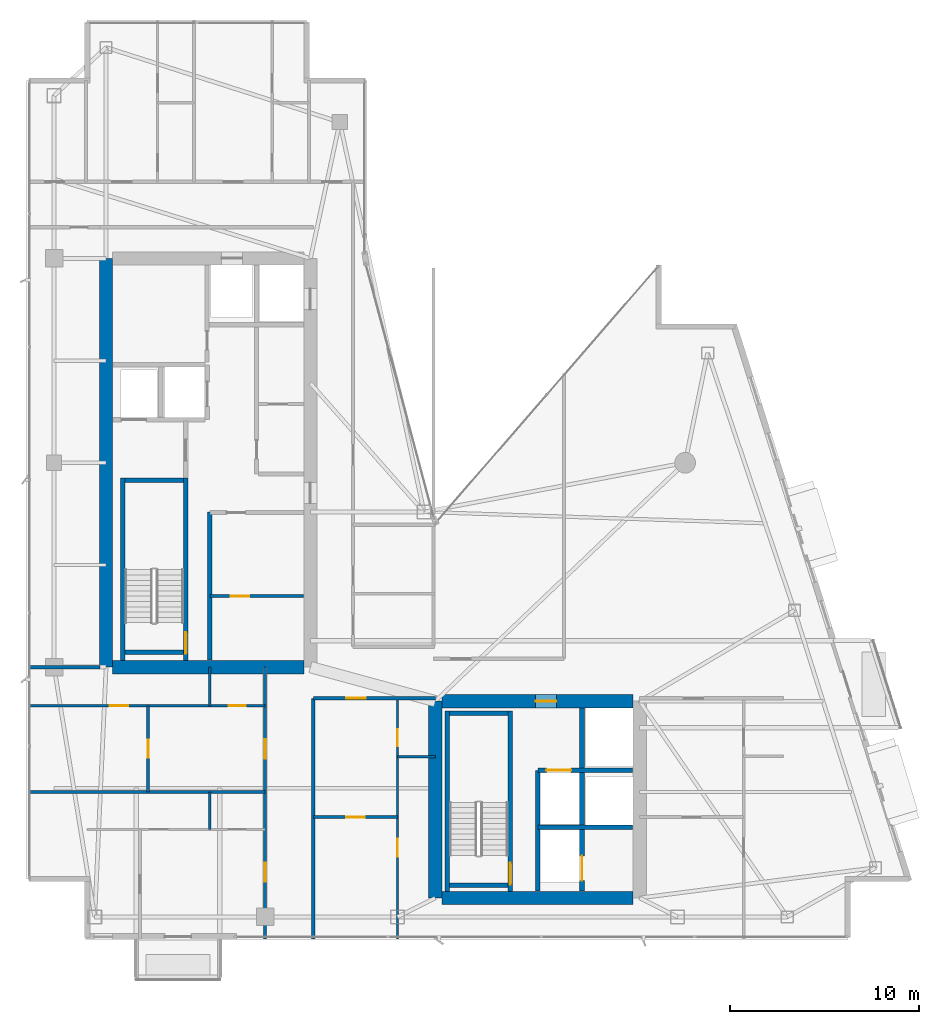
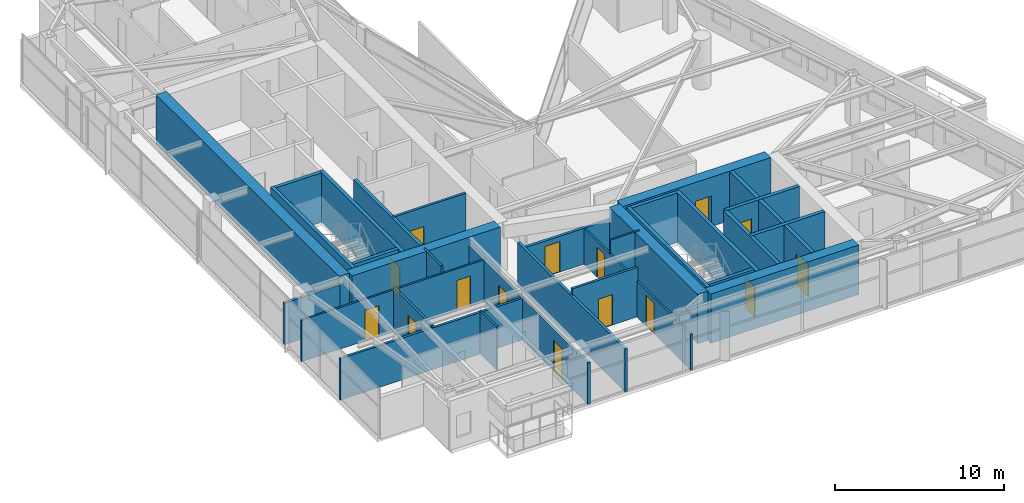
# One storey, part 24 of 29: 31 walls, 15 doors, 15 openings.
"""IFC4 building model written with IfcOpenShell, lengths in metres."""

from ifc_helpers import new_model, si_unit, direction, frame, frame_2d, origin, place, context, subcontext, project, spatial, rectangle, extrude, material, layer, layer_set, type_object, element, fill, save


model = new_model("IFC4")

# Units and contexts
model_context = context("Model", 3, precision=1e-05, world=origin(), true_north=direction((0.0, 1.0)))
body_context = subcontext(model_context, "Body", "Model", "MODEL_VIEW")
ifc_project = project(units=[si_unit("LENGTHUNIT", "METRE"), si_unit("AREAUNIT", "SQUARE_METRE"), si_unit("VOLUMEUNIT", "CUBIC_METRE"), si_unit("PLANEANGLEUNIT", "RADIAN"), si_unit("MASSUNIT", "GRAM", prefix="KILO")], contexts=[model_context])

# Site, building, storey
site_placement = place(None, origin())
site = spatial("IfcSite", under=ifc_project, at=site_placement, CompositionType="ELEMENT")
building_placement = place(site_placement, origin())
building = spatial("IfcBuilding", under=site, at=building_placement, Name="Calvorn Quay Hotel", CompositionType="ELEMENT")
storey_placement = place(building_placement, frame((0.0, 0.0, 247.60009765625)))
storey = spatial("IfcBuildingStorey", under=building, at=storey_placement, Name="L61", CompositionType="ELEMENT", Elevation=247.60009765625)

# Walls
ifc_material_1 = material(Name="Concrete C45", Category="concrete")
ifc_layer_1 = layer(ifc_material_1, 0.699951171875)
ifc_layer_set_1 = layer_set([ifc_layer_1], Name="WL-CORE-700")
wall_type_1 = type_object("IfcWallType", Name="WL-CORE-700", PredefinedType="SHEAR", material=ifc_layer_set_1)
wall_1_placement = place(storey_placement, frame((4.199951171875, 16.800048828125, 0.0), z_axis=(0.0, 0.0, 1.0), x_axis=(0.0, 1.0, 0.0)))
element("IfcWall", 1, at=wall_1_placement, inside=storey, type_object=wall_type_1, Name="West Core Shear Wall W (L61)", PredefinedType="SHEAR", context=body_context, shape_type="SweptSolid", body=[
    extrude(rectangle(XDim=21.599853515625, YDim=0.699951171875, at=frame_2d((10.7998046875, 0.0))), origin(), (0.0, 0.0, 1.0), 3.559814453125),
])
wall_2_placement = place(storey_placement, frame((4.550048828125, 16.800048828125, 0.0), z_axis=(0.0, 0.0, 1.0), x_axis=(1.0, 0.0, 0.0)))
element("IfcWall", 2, at=wall_2_placement, inside=storey, type_object=wall_type_1, Name="West Core Shear Wall S (L61)", PredefinedType="SHEAR", context=body_context, shape_type="SweptSolid", body=[
    extrude(rectangle(XDim=10.099853515625, YDim=0.699951171875, at=frame_2d((5.0498046875, 0.0))), origin(), (0.0, 0.0, 1.0), 3.559814453125),
])
wall_3_placement = place(storey_placement, frame((21.60009765625, 4.60009765625, 0.0), z_axis=(0.0, 0.0, 1.0), x_axis=(0.0, 1.0, 0.0)))
element("IfcWall", 3, at=wall_3_placement, inside=storey, type_object=wall_type_1, Name="East Core Shear Wall W (L61)", PredefinedType="SHEAR", context=body_context, shape_type="SweptSolid", body=[
    extrude(rectangle(XDim=10.39990234375, YDim=0.699951171875, at=frame_2d((5.199951171875, 0.0))), origin(), (0.0, 0.0, 1.0), 3.559814453125),
])

# Wall, opening, door
wall_4_placement = place(storey_placement, frame((21.949951171875, 15.0, 0.0), z_axis=(0.0, 0.0, 1.0), x_axis=(1.0, 0.0, 0.0)))
wall_4 = element("IfcWall", 4, at=wall_4_placement, inside=storey, type_object=wall_type_1, Name="East Core Shear Wall N (L61)", PredefinedType="SHEAR", context=body_context, shape_type="SweptSolid", body=[
    extrude(rectangle(XDim=10.10009765625, YDim=0.699951171875, at=frame_2d((5.050048828125, 0.0))), origin(), (0.0, 0.0, 1.0), 3.559814453125),
])
opening_1_placement = place(wall_4_placement, frame((4.949951171875, 0.0, 0.0)))
opening_1 = element("IfcOpeningElement", 5, at=opening_1_placement, cuts=wall_4, Name="Opening D-L61-FLE", PredefinedType="OPENING", context=body_context, shape_type="SweptSolid", body=[
    extrude(rectangle(XDim=1.10009765625, YDim=2.199951171875, at=frame_2d((0.550048828125, 1.10009765625))), frame((0.0, 0.35986328125, 0.0), z_axis=(0.0, -1.0, 0.0), x_axis=(1.0, 0.0, 0.0)), (0.0, 0.0, 1.0), 0.719970703125),
])
ifc_material_2 = material(Name="Smoke-Sealed Steel Class A Fire Door", Category="steel")
door_type_1 = type_object("IfcDoorType", Name="DR-FFLOBBY-1100", OperationType="NOTDEFINED", PredefinedType="DOOR", material=ifc_material_2)
door_1_placement = place(opening_1_placement, origin())
door_1 = element("IfcDoor", 6, at=door_1_placement, inside=storey, type_object=door_type_1, Name="East Firefighting Lobby Fire Door (L61)", OperationType="SINGLE_SWING_LEFT", OverallHeight=2.199951171875, OverallWidth=1.10009765625, PredefinedType="DOOR", context=body_context, shape_type="SweptSolid", body=[
    extrude(rectangle(XDim=1.10009765625, YDim=2.199951171875, at=frame_2d((0.550048828125, 1.10009765625))), frame((0.0, 0.02490234375, 0.0), z_axis=(0.0, -1.0, 0.0), x_axis=(1.0, 0.0, 0.0)), (0.0, 0.0, 1.0), 0.050048828125),
])
fill(opening_1, door_1)

# Walls
wall_5_placement = place(storey_placement, frame((21.949951171875, 4.60009765625, 0.0), z_axis=(0.0, 0.0, 1.0), x_axis=(1.0, 0.0, 0.0)))
element("IfcWall", 7, at=wall_5_placement, inside=storey, type_object=wall_type_1, Name="East Core Shear Wall S (L61)", PredefinedType="SHEAR", context=body_context, shape_type="SweptSolid", body=[
    extrude(rectangle(XDim=10.10009765625, YDim=0.699951171875, at=frame_2d((5.050048828125, 0.0))), origin(), (0.0, 0.0, 1.0), 3.559814453125),
])
ifc_material_3 = material(Name="Acoustic Fireboard Steel-Stud Partition", Category="steel")
ifc_layer_2 = layer(ifc_material_3, 0.179931640625)
ifc_layer_set_2 = layer_set([ifc_layer_2], Name="WL-CORR-FIRE-180")
wall_type_2 = type_object("IfcWallType", Name="WL-CORR-FIRE-180", PredefinedType="PARTITIONING", material=ifc_layer_set_2)
wall_6_placement = place(storey_placement, frame((0.080078125, 16.800048828125, 0.0), z_axis=(0.0, 0.0, 1.0), x_axis=(1.0, 0.0, 0.0)))
element("IfcWall", 8, at=wall_6_placement, inside=storey, type_object=wall_type_2, Name="Partition Wall L61-WL-WBAY-S-WALL", PredefinedType="PARTITIONING", context=body_context, shape_type="SweptSolid", body=[
    extrude(rectangle(XDim=3.7998046875, YDim=0.179931640625, at=frame_2d((1.89990234375, 0.0))), origin(), (0.0, 0.0, 1.0), 2.989990234375),
])

# Wall, openings, doors
wall_7_placement = place(storey_placement, frame((12.60009765625, 2.43994140625, 0.0), z_axis=(0.0, 0.0, 1.0), x_axis=(0.0, 1.0, 0.0)))
wall_7 = element("IfcWall", 9, at=wall_7_placement, inside=storey, type_object=wall_type_2, Name="Partition Wall L61-WL-CORR-SW-LEG-W", PredefinedType="PARTITIONING", context=body_context, shape_type="SweptSolid", body=[
    extrude(rectangle(XDim=14.360107421875, YDim=0.179931640625, at=frame_2d((7.18017578125, 0.0))), origin(), (0.0, 0.0, 1.0), 2.989990234375),
])
opening_2_placement = place(wall_7_placement, frame((3.010009765625, 0.0, 0.0)))
opening_2 = element("IfcOpeningElement", 10, at=opening_2_placement, cuts=wall_7, Name="Opening D-L61-U01", PredefinedType="OPENING", context=body_context, shape_type="SweptSolid", body=[
    extrude(rectangle(XDim=1.02001953125, YDim=2.199951171875, at=frame_2d((0.510009765625, 1.10009765625))), frame((0.0, 0.099853515625, 0.0), z_axis=(0.0, -1.0, 0.0), x_axis=(1.0, 0.0, 0.0)), (0.0, 0.0, 1.0), 0.199951171875),
])
opening_3_placement = place(wall_7_placement, frame((9.52001953125, 0.0, 0.0)))
opening_3 = element("IfcOpeningElement", 11, at=opening_3_placement, cuts=wall_7, Name="Opening D-L61-U02", PredefinedType="OPENING", context=body_context, shape_type="SweptSolid", body=[
    extrude(rectangle(XDim=1.02001953125, YDim=2.199951171875, at=frame_2d((0.510009765625, 1.10009765625))), frame((0.0, 0.099853515625, 0.0), z_axis=(0.0, -1.0, 0.0), x_axis=(1.0, 0.0, 0.0)), (0.0, 0.0, 1.0), 0.199951171875),
])
ifc_material_4 = material(Name="Solid-Core Walnut Veneer Hotel Fire Door")
door_type_2 = type_object("IfcDoorType", Name="DR-GUEST-ENTRY-1020", OperationType="NOTDEFINED", PredefinedType="DOOR", material=ifc_material_4)
door_2_placement = place(opening_2_placement, origin())
door_2 = element("IfcDoor", 12, at=door_2_placement, inside=storey, type_object=door_type_2, Name="South-West Unit Door U01 (L61)", OperationType="SINGLE_SWING_LEFT", OverallHeight=2.199951171875, OverallWidth=1.02001953125, PredefinedType="DOOR", context=body_context, shape_type="SweptSolid", body=[
    extrude(rectangle(XDim=1.02001953125, YDim=2.199951171875, at=frame_2d((0.510009765625, 1.10009765625))), frame((0.0, 0.02490234375, 0.0), z_axis=(0.0, -1.0, 0.0), x_axis=(1.0, 0.0, 0.0)), (0.0, 0.0, 1.0), 0.050048828125),
])
fill(opening_2, door_2)
door_3_placement = place(opening_3_placement, origin())
door_3 = element("IfcDoor", 13, at=door_3_placement, inside=storey, type_object=door_type_2, Name="South-West Unit Door U02 (L61)", OperationType="SINGLE_SWING_RIGHT", OverallHeight=2.199951171875, OverallWidth=1.02001953125, PredefinedType="DOOR", context=body_context, shape_type="SweptSolid", body=[
    extrude(rectangle(XDim=1.02001953125, YDim=2.199951171875, at=frame_2d((0.510009765625, 1.10009765625))), frame((0.0, 0.02490234375, 0.0), z_axis=(0.0, -1.0, 0.0), x_axis=(1.0, 0.0, 0.0)), (0.0, 0.0, 1.0), 0.050048828125),
])
fill(opening_3, door_3)

# Wall
wall_8_placement = place(storey_placement, frame((15.14990234375, 2.43994140625, 0.0), z_axis=(0.0, 0.0, 1.0), x_axis=(0.0, 1.0, 0.0)))
element("IfcWall", 14, at=wall_8_placement, inside=storey, type_object=wall_type_2, Name="Partition Wall L61-WL-CORR-SW-W", PredefinedType="PARTITIONING", context=body_context, shape_type="SweptSolid", body=[
    extrude(rectangle(XDim=12.7099609375, YDim=0.179931640625, at=frame_2d((6.35498046875, 0.0))), origin(), (0.0, 0.0, 1.0), 3.08984375),
])

# Wall, opening, door
wall_9_placement = place(storey_placement, frame((15.14990234375, 15.14990234375, 0.0), z_axis=(0.0, 0.0, 1.0), x_axis=(1.0, 0.0, 0.0)))
wall_9 = element("IfcWall", 15, at=wall_9_placement, inside=storey, type_object=wall_type_2, Name="Partition Wall L61-WL-SC-CORR-S", PredefinedType="PARTITIONING", context=body_context, shape_type="SweptSolid", body=[
    extrude(rectangle(XDim=6.4501953125, YDim=0.179931640625, at=frame_2d((3.22509765625, 0.0))), origin(), (0.0, 0.0, 1.0), 2.58984375),
])
opening_4_placement = place(wall_9_placement, frame((1.739990234375, 0.0, 0.0)))
opening_4 = element("IfcOpeningElement", 16, at=opening_4_placement, cuts=wall_9, Name="Opening D-L61-U03", PredefinedType="OPENING", context=body_context, shape_type="SweptSolid", body=[
    extrude(rectangle(XDim=1.02001953125, YDim=2.199951171875, at=frame_2d((0.510009765625, 1.10009765625))), frame((0.0, 0.099853515625, 0.0), z_axis=(0.0, -1.0, 0.0), x_axis=(1.0, 0.0, 0.0)), (0.0, 0.0, 1.0), 0.199951171875),
])
door_4_placement = place(opening_4_placement, origin())
door_4 = element("IfcDoor", 17, at=door_4_placement, inside=storey, type_object=door_type_2, Name="Harbour Central Unit Door (L61)", OperationType="SINGLE_SWING_LEFT", OverallHeight=2.199951171875, OverallWidth=1.02001953125, PredefinedType="DOOR", context=body_context, shape_type="SweptSolid", body=[
    extrude(rectangle(XDim=1.02001953125, YDim=2.199951171875, at=frame_2d((0.510009765625, 1.10009765625))), frame((0.0, 0.02490234375, 0.0), z_axis=(0.0, -1.0, 0.0), x_axis=(1.0, 0.0, 0.0)), (0.0, 0.0, 1.0), 0.050048828125),
])
fill(opening_4, door_4)

# Walls
ifc_material_5 = material(Name="Moisture-Resistant Tile-Backed Partition")
ifc_layer_3 = layer(ifc_material_5, 0.125)
ifc_layer_set_3 = layer_set([ifc_layer_3], Name="WL-ENSUITE-125")
wall_type_3 = type_object("IfcWallType", Name="WL-ENSUITE-125", PredefinedType="PARTITIONING", material=ifc_layer_set_3)
wall_10_placement = place(storey_placement, frame((9.679931640625, 8.219970703125, 0.0), z_axis=(0.0, 0.0, 1.0), x_axis=(0.0, 1.0, 0.0)))
element("IfcWall", 18, at=wall_10_placement, inside=storey, type_object=wall_type_3, Name="Partition Wall L61-WL-U01-BDV", PredefinedType="PARTITIONING", context=body_context, shape_type="SweptSolid", body=[
    extrude(rectangle(XDim=1.97998046875, YDim=0.125, at=frame_2d((0.989990234375, 0.0))), origin(), (0.0, 0.0, 1.0), 3.08984375),
])
wall_11_placement = place(storey_placement, frame((9.679931640625, 14.75, 0.0), z_axis=(0.0, 0.0, 1.0), x_axis=(0.0, 1.0, 0.0)))
element("IfcWall", 19, at=wall_11_placement, inside=storey, type_object=wall_type_3, Name="Partition Wall L61-WL-U02-BDV", PredefinedType="PARTITIONING", context=body_context, shape_type="SweptSolid", body=[
    extrude(rectangle(XDim=2.050048828125, YDim=0.125, at=frame_2d((1.02490234375, 0.0))), origin(), (0.0, 0.0, 1.0), 3.559814453125),
])

# Wall, openings, doors
wall_12_placement = place(storey_placement, frame((0.080078125, 14.75, 0.0), z_axis=(0.0, 0.0, 1.0), x_axis=(1.0, 0.0, 0.0)))
wall_12 = element("IfcWall", 20, at=wall_12_placement, inside=storey, type_object=wall_type_3, Name="Partition Wall L61-WL-U02-BH", PredefinedType="PARTITIONING", context=body_context, shape_type="SweptSolid", body=[
    extrude(rectangle(XDim=12.52001953125, YDim=0.125, at=frame_2d((6.260009765625, 0.0))), origin(), (0.0, 0.0, 1.0), 2.989990234375),
])
opening_5_placement = place(wall_12_placement, frame((4.320068359375, 0.0, 0.0)))
opening_5 = element("IfcOpeningElement", 21, at=opening_5_placement, cuts=wall_12, Name="Opening D-L61-S02", PredefinedType="OPENING", context=body_context, shape_type="SweptSolid", body=[
    extrude(rectangle(XDim=0.9599609375, YDim=2.199951171875, at=frame_2d((0.47998046875, 1.10009765625))), frame((0.0, 0.072509765625, 0.0), z_axis=(0.0, -1.0, 0.0), x_axis=(1.0, 0.0, 0.0)), (0.0, 0.0, 1.0), 0.14501953125),
])
opening_6_placement = place(wall_12_placement, frame((10.610107421875, 0.0, 0.0)))
opening_6 = element("IfcOpeningElement", 22, at=opening_6_placement, cuts=wall_12, Name="Opening D-L61-E02", PredefinedType="OPENING", context=body_context, shape_type="SweptSolid", body=[
    extrude(rectangle(XDim=0.89990234375, YDim=2.14990234375, at=frame_2d((0.449951171875, 1.074951171875))), frame((0.0, 0.072509765625, 0.0), z_axis=(0.0, -1.0, 0.0), x_axis=(1.0, 0.0, 0.0)), (0.0, 0.0, 1.0), 0.14501953125),
])
ifc_material_6 = material(Name="Moisture-Sealed Timber En-Suite Door", Category="wood")
door_type_3 = type_object("IfcDoorType", Name="DR-ENSUITE-900", OperationType="NOTDEFINED", PredefinedType="DOOR", material=ifc_material_6)
door_5_placement = place(opening_6_placement, origin())
door_5 = element("IfcDoor", 23, at=door_5_placement, inside=storey, type_object=door_type_3, Name="En-Suite Door 02", OperationType="SINGLE_SWING_RIGHT", OverallHeight=2.14990234375, OverallWidth=0.89990234375, PredefinedType="DOOR", context=body_context, shape_type="SweptSolid", body=[
    extrude(rectangle(XDim=0.89990234375, YDim=2.14990234375, at=frame_2d((0.449951171875, 1.074951171875))), frame((0.0, 0.02490234375, 0.0), z_axis=(0.0, -1.0, 0.0), x_axis=(1.0, 0.0, 0.0)), (0.0, 0.0, 1.0), 0.050048828125),
])
fill(opening_6, door_5)
ifc_material_7 = material(Name="Solid Timber Internal Suite Door", Category="wood")
door_type_4 = type_object("IfcDoorType", Name="DR-SUITE-INT-960", OperationType="NOTDEFINED", PredefinedType="DOOR", material=ifc_material_7)
door_6_placement = place(opening_5_placement, origin())
door_6 = element("IfcDoor", 24, at=door_6_placement, inside=storey, type_object=door_type_4, Name="Curated Resort Boutique Door 02", OperationType="SINGLE_SWING_LEFT", OverallHeight=2.199951171875, OverallWidth=0.9599609375, PredefinedType="DOOR", context=body_context, shape_type="SweptSolid", body=[
    extrude(rectangle(XDim=0.9599609375, YDim=2.199951171875, at=frame_2d((0.47998046875, 1.10009765625))), frame((0.0, 0.02490234375, 0.0), z_axis=(0.0, -1.0, 0.0), x_axis=(1.0, 0.0, 0.0)), (0.0, 0.0, 1.0), 0.050048828125),
])
fill(opening_5, door_6)

# Wall
wall_13_placement = place(storey_placement, frame((19.60009765625, 12.070068359375, 0.0), z_axis=(0.0, 0.0, 1.0), x_axis=(1.0, 0.0, 0.0)))
element("IfcWall", 25, at=wall_13_placement, inside=storey, type_object=wall_type_3, Name="Partition Wall L61-WL-U03-BDV", PredefinedType="PARTITIONING", context=body_context, shape_type="SweptSolid", body=[
    extrude(rectangle(XDim=2.0, YDim=0.125, at=frame_2d((1.0, 0.0))), origin(), (0.0, 0.0, 1.0), 3.559814453125),
])

# Wall, openings, doors
wall_14_placement = place(storey_placement, frame((19.60009765625, 2.43994140625, 0.0), z_axis=(0.0, 0.0, 1.0), x_axis=(0.0, 1.0, 0.0)))
wall_14 = element("IfcWall", 26, at=wall_14_placement, inside=storey, type_object=wall_type_3, Name="Partition Wall L61-WL-U03-BV", PredefinedType="PARTITIONING", context=body_context, shape_type="SweptSolid", body=[
    extrude(rectangle(XDim=12.7099609375, YDim=0.125, at=frame_2d((6.35498046875, 0.0))), origin(), (0.0, 0.0, 1.0), 2.58984375),
])
opening_7_placement = place(wall_14_placement, frame((4.340087890625, 0.0, 0.0)))
opening_7 = element("IfcOpeningElement", 27, at=opening_7_placement, cuts=wall_14, Name="Opening D-L61-S03", PredefinedType="OPENING", context=body_context, shape_type="SweptSolid", body=[
    extrude(rectangle(XDim=0.9599609375, YDim=2.199951171875, at=frame_2d((0.47998046875, 1.10009765625))), frame((0.0, 0.072509765625, 0.0), z_axis=(0.0, -1.0, 0.0), x_axis=(1.0, 0.0, 0.0)), (0.0, 0.0, 1.0), 0.14501953125),
])
opening_8_placement = place(wall_14_placement, frame((10.179931640625, 0.0, 0.0)))
opening_8 = element("IfcOpeningElement", 28, at=opening_8_placement, cuts=wall_14, Name="Opening D-L61-E03", PredefinedType="OPENING", context=body_context, shape_type="SweptSolid", body=[
    extrude(rectangle(XDim=0.89990234375, YDim=2.14990234375, at=frame_2d((0.449951171875, 1.074951171875))), frame((0.0, 0.072509765625, 0.0), z_axis=(0.0, -1.0, 0.0), x_axis=(1.0, 0.0, 0.0)), (0.0, 0.0, 1.0), 0.14501953125),
])
door_7_placement = place(opening_8_placement, origin())
door_7 = element("IfcDoor", 29, at=door_7_placement, inside=storey, type_object=door_type_3, Name="En-Suite Door 03", OperationType="SINGLE_SWING_RIGHT", OverallHeight=2.14990234375, OverallWidth=0.89990234375, PredefinedType="DOOR", context=body_context, shape_type="SweptSolid", body=[
    extrude(rectangle(XDim=0.89990234375, YDim=2.14990234375, at=frame_2d((0.449951171875, 1.074951171875))), frame((0.0, 0.02490234375, 0.0), z_axis=(0.0, -1.0, 0.0), x_axis=(1.0, 0.0, 0.0)), (0.0, 0.0, 1.0), 0.050048828125),
])
fill(opening_8, door_7)
door_8_placement = place(opening_7_placement, origin())
door_8 = element("IfcDoor", 30, at=door_8_placement, inside=storey, type_object=door_type_4, Name="Curated Resort Boutique Door 03", OperationType="SINGLE_SWING_LEFT", OverallHeight=2.199951171875, OverallWidth=0.9599609375, PredefinedType="DOOR", context=body_context, shape_type="SweptSolid", body=[
    extrude(rectangle(XDim=0.9599609375, YDim=2.199951171875, at=frame_2d((0.47998046875, 1.10009765625))), frame((0.0, 0.02490234375, 0.0), z_axis=(0.0, -1.0, 0.0), x_axis=(1.0, 0.0, 0.0)), (0.0, 0.0, 1.0), 0.050048828125),
])
fill(opening_7, door_8)

# Wall, opening, door
ifc_material_8 = material(Name="Double-Stud Acoustic Gypsum Partition")
ifc_layer_4 = layer(ifc_material_8, 0.159912109375)
ifc_layer_set_4 = layer_set([ifc_layer_4], Name="WL-INTERSUITE-160")
wall_type_4 = type_object("IfcWallType", Name="WL-INTERSUITE-160", PredefinedType="PARTITIONING", material=ifc_layer_set_4)
wall_15_placement = place(storey_placement, frame((9.679931640625, 20.550048828125, 0.0), z_axis=(0.0, 0.0, 1.0), x_axis=(1.0, 0.0, 0.0)))
wall_15 = element("IfcWall", 31, at=wall_15_placement, inside=storey, type_object=wall_type_4, Name="Partition Wall L61-WL-CWW-FR-SPLIT", PredefinedType="PARTITIONING", context=body_context, shape_type="SweptSolid", body=[
    extrude(rectangle(XDim=4.949951171875, YDim=0.159912109375, at=frame_2d((2.47509765625, 0.0))), origin(), (0.0, 0.0, 1.0), 3.559814453125),
])
opening_9_placement = place(wall_15_placement, frame((1.10009765625, 0.0, 0.0)))
opening_9 = element("IfcOpeningElement", 32, at=opening_9_placement, cuts=wall_15, Name="Opening D-L61-FRL1", PredefinedType="OPENING", context=body_context, shape_type="SweptSolid", body=[
    extrude(rectangle(XDim=0.97998046875, YDim=2.14990234375, at=frame_2d((0.489990234375, 1.074951171875))), frame((0.0, 0.08984375, 0.0), z_axis=(0.0, -1.0, 0.0), x_axis=(1.0, 0.0, 0.0)), (0.0, 0.0, 1.0), 0.179931640625),
])
ifc_material_9 = material(Name="Painted Steel Housekeeping/Riser Fire Door", Category="steel")
door_type_5 = type_object("IfcDoorType", Name="DR-SERVICE-980", OperationType="NOTDEFINED", PredefinedType="DOOR", material=ifc_material_9)
door_9_placement = place(opening_9_placement, origin())
door_9 = element("IfcDoor", 33, at=door_9_placement, inside=storey, type_object=door_type_5, Name="Linen Store Room Door (L61)", OperationType="SINGLE_SWING_LEFT", OverallHeight=2.14990234375, OverallWidth=0.97998046875, PredefinedType="DOOR", context=body_context, shape_type="SweptSolid", body=[
    extrude(rectangle(XDim=0.97998046875, YDim=2.14990234375, at=frame_2d((0.489990234375, 1.074951171875))), frame((0.0, 0.02490234375, 0.0), z_axis=(0.0, -1.0, 0.0), x_axis=(1.0, 0.0, 0.0)), (0.0, 0.0, 1.0), 0.050048828125),
])
fill(opening_9, door_9)

wall_16_placement = place(storey_placement, frame((6.419921875, 10.199951171875, 0.0), z_axis=(0.0, 0.0, 1.0), x_axis=(0.0, 1.0, 0.0)))
wall_16 = element("IfcWall", 34, at=wall_16_placement, inside=storey, type_object=wall_type_4, Name="Partition Wall L61-WL-U02-MSP", PredefinedType="PARTITIONING", context=body_context, shape_type="SweptSolid", body=[
    extrude(rectangle(XDim=4.550048828125, YDim=0.159912109375, at=frame_2d((2.27490234375, 0.0))), origin(), (0.0, 0.0, 1.0), 3.139892578125),
])
opening_10_placement = place(wall_16_placement, frame((1.800048828125, 0.0, 0.0)))
opening_10 = element("IfcOpeningElement", 35, at=opening_10_placement, cuts=wall_16, Name="Opening D-L61-M02", PredefinedType="OPENING", context=body_context, shape_type="SweptSolid", body=[
    extrude(rectangle(XDim=0.9599609375, YDim=2.199951171875, at=frame_2d((0.47998046875, 1.10009765625))), frame((0.0, 0.08984375, 0.0), z_axis=(0.0, -1.0, 0.0), x_axis=(1.0, 0.0, 0.0)), (0.0, 0.0, 1.0), 0.179931640625),
])
door_10_placement = place(opening_10_placement, origin())
door_10 = element("IfcDoor", 36, at=door_10_placement, inside=storey, type_object=door_type_4, Name="Suite Bedroom Door 02", OperationType="SINGLE_SWING_LEFT", OverallHeight=2.199951171875, OverallWidth=0.9599609375, PredefinedType="DOOR", context=body_context, shape_type="SweptSolid", body=[
    extrude(rectangle(XDim=0.9599609375, YDim=2.199951171875, at=frame_2d((0.47998046875, 1.10009765625))), frame((0.0, 0.02490234375, 0.0), z_axis=(0.0, -1.0, 0.0), x_axis=(1.0, 0.0, 0.0)), (0.0, 0.0, 1.0), 0.050048828125),
])
fill(opening_10, door_10)

# Wall
wall_17_placement = place(storey_placement, frame((0.080078125, 10.199951171875, 0.0), z_axis=(0.0, 0.0, 1.0), x_axis=(1.0, 0.0, 0.0)))
element("IfcWall", 37, at=wall_17_placement, inside=storey, type_object=wall_type_4, Name="Partition Wall L61-WL-SW-DIV-1", PredefinedType="PARTITIONING", context=body_context, shape_type="SweptSolid", body=[
    extrude(rectangle(XDim=12.52001953125, YDim=0.159912109375, at=frame_2d((6.260009765625, 0.0))), origin(), (0.0, 0.0, 1.0), 2.989990234375),
])

# Wall, opening, door
wall_18_placement = place(storey_placement, frame((15.14990234375, 8.8701171875, 0.0), z_axis=(0.0, 0.0, 1.0), x_axis=(1.0, 0.0, 0.0)))
wall_18 = element("IfcWall", 38, at=wall_18_placement, inside=storey, type_object=wall_type_4, Name="Partition Wall L61-WL-U03-MSP", PredefinedType="PARTITIONING", context=body_context, shape_type="SweptSolid", body=[
    extrude(rectangle(XDim=4.4501953125, YDim=0.159912109375, at=frame_2d((2.22509765625, 0.0))), origin(), (0.0, 0.0, 1.0), 3.559814453125),
])
opening_11_placement = place(wall_18_placement, frame((1.75, 0.0, 0.0)))
opening_11 = element("IfcOpeningElement", 39, at=opening_11_placement, cuts=wall_18, Name="Opening D-L61-M03", PredefinedType="OPENING", context=body_context, shape_type="SweptSolid", body=[
    extrude(rectangle(XDim=0.9599609375, YDim=2.199951171875, at=frame_2d((0.47998046875, 1.10009765625))), frame((0.0, 0.08984375, 0.0), z_axis=(0.0, -1.0, 0.0), x_axis=(1.0, 0.0, 0.0)), (0.0, 0.0, 1.0), 0.179931640625),
])
door_11_placement = place(opening_11_placement, origin())
door_11 = element("IfcDoor", 40, at=door_11_placement, inside=storey, type_object=door_type_4, Name="Suite Bedroom Door 03", OperationType="SINGLE_SWING_LEFT", OverallHeight=2.199951171875, OverallWidth=0.9599609375, PredefinedType="DOOR", context=body_context, shape_type="SweptSolid", body=[
    extrude(rectangle(XDim=0.9599609375, YDim=2.199951171875, at=frame_2d((0.47998046875, 1.10009765625))), frame((0.0, 0.02490234375, 0.0), z_axis=(0.0, -1.0, 0.0), x_axis=(1.0, 0.0, 0.0)), (0.0, 0.0, 1.0), 0.050048828125),
])
fill(opening_11, door_11)

# Walls
ifc_material_10 = material(Name="Autoclaved Aerated Masonry Block", Category="masonry")
ifc_layer_5 = layer(ifc_material_10, 0.219970703125)
ifc_layer_set_5 = layer_set([ifc_layer_5], Name="WL-LOBBY-FIRE-220")
wall_type_5 = type_object("IfcWallType", Name="WL-LOBBY-FIRE-220", PredefinedType="SOLIDWALL", material=ifc_layer_set_5)
wall_19_placement = place(storey_placement, frame((9.679931640625, 17.169921875, 0.0), z_axis=(0.0, 0.0, 1.0), x_axis=(0.0, 1.0, 0.0)))
element("IfcWall", 41, at=wall_19_placement, inside=storey, type_object=wall_type_5, Name="Partition Wall L61-WL-CWW-STW-HALL-E", PredefinedType="SOLIDWALL", context=body_context, shape_type="SweptSolid", body=[
    extrude(rectangle(XDim=7.830078125, YDim=0.219970703125, at=frame_2d((3.9150390625, 0.0))), origin(), (0.0, 0.0, 1.0), 3.559814453125),
])
ifc_material_11 = material(Name="Concrete C40", Category="concrete")
ifc_layer_6 = layer(ifc_material_11, 0.239990234375)
ifc_layer_set_6 = layer_set([ifc_layer_6], Name="WL-SHAFT-240")
wall_type_6 = type_object("IfcWallType", Name="WL-SHAFT-240", PredefinedType="SOLIDWALL", material=ifc_layer_set_6)
wall_20_placement = place(storey_placement, frame((5.080078125, 17.14990234375, 0.0), z_axis=(0.0, 0.0, 1.0), x_axis=(0.0, 1.0, 0.0)))
element("IfcWall", 42, at=wall_20_placement, inside=storey, type_object=wall_type_6, Name="Stair STW Shaft Wall W (L61)", PredefinedType="SOLIDWALL", context=body_context, shape_type="SweptSolid", body=[
    extrude(rectangle(XDim=9.64013671875, YDim=0.239990234375, at=frame_2d((4.820068359375, 0.0))), origin(), (0.0, 0.0, 1.0), 3.559814453125),
])

# Wall, opening, door
wall_21_placement = place(storey_placement, frame((8.419921875, 17.14990234375, 0.0), z_axis=(0.0, 0.0, 1.0), x_axis=(0.0, 1.0, 0.0)))
wall_21 = element("IfcWall", 43, at=wall_21_placement, inside=storey, type_object=wall_type_6, Name="Stair STW Shaft Wall E (L61)", PredefinedType="SOLIDWALL", context=body_context, shape_type="SweptSolid", body=[
    extrude(rectangle(XDim=9.64013671875, YDim=0.239990234375, at=frame_2d((4.820068359375, 0.0))), origin(), (0.0, 0.0, 1.0), 3.559814453125),
])
opening_12_placement = place(wall_21_placement, frame((0.35009765625, 0.0, 0.0)))
opening_12 = element("IfcOpeningElement", 44, at=opening_12_placement, cuts=wall_21, Name="Opening D-L61-STW", PredefinedType="OPENING", context=body_context, shape_type="SweptSolid", body=[
    extrude(rectangle(XDim=1.14990234375, YDim=2.199951171875, at=frame_2d((0.574951171875, 1.10009765625))), frame((0.0, 0.1298828125, 0.0), z_axis=(0.0, -1.0, 0.0), x_axis=(1.0, 0.0, 0.0)), (0.0, 0.0, 1.0), 0.260009765625),
])
ifc_material_12 = material(Name="Galvanised Steel Class A Fire Door", Category="steel")
door_type_6 = type_object("IfcDoorType", Name="DR-STAIR-SMOKE-1150", OperationType="NOTDEFINED", PredefinedType="DOOR", material=ifc_material_12)
door_12_placement = place(opening_12_placement, origin())
door_12 = element("IfcDoor", 45, at=door_12_placement, inside=storey, type_object=door_type_6, Name="Stair ST-W Fire Door (L61)", OperationType="SINGLE_SWING_LEFT", OverallHeight=2.199951171875, OverallWidth=1.14990234375, PredefinedType="DOOR", context=body_context, shape_type="SweptSolid", body=[
    extrude(rectangle(XDim=1.14990234375, YDim=2.199951171875, at=frame_2d((0.574951171875, 1.10009765625))), frame((0.0, 0.02490234375, 0.0), z_axis=(0.0, -1.0, 0.0), x_axis=(1.0, 0.0, 0.0)), (0.0, 0.0, 1.0), 0.050048828125),
])
fill(opening_12, door_12)

# Walls
for number, where, z_axis, x_axis, name in (
    (46, (5.199951171875, 17.580078125, 0.0), (0.0, 0.0, 1.0), (1.0, 0.0, 0.0), "Stair STW Shaft Wall S (L61)"),
    (47, (5.199951171875, 26.669921875, 0.0), (0.0, 0.0, 1.0), (1.0, 0.0, 0.0), "Stair STW Shaft Wall N (L61)"),
):
    element("IfcWall", number, at=place(storey_placement, frame(where, z_axis=z_axis, x_axis=x_axis)), inside=storey, type_object=wall_type_6, Name=name, PredefinedType="SOLIDWALL", context=body_context, shape_type="SweptSolid", body=[
        extrude(rectangle(XDim=3.10009765625, YDim=0.239990234375, at=frame_2d((1.550048828125, 0.0))), origin(), (0.0, 0.0, 1.0), 3.559814453125),
    ])
wall_22_placement = place(storey_placement, frame((22.22998046875, 4.949951171875, 0.0), z_axis=(0.0, 0.0, 1.0), x_axis=(0.0, 1.0, 0.0)))
element("IfcWall", 48, at=wall_22_placement, inside=storey, type_object=wall_type_6, Name="Stair STE Shaft Wall W (L61)", PredefinedType="SOLIDWALL", context=body_context, shape_type="SweptSolid", body=[
    extrude(rectangle(XDim=9.5400390625, YDim=0.239990234375, at=frame_2d((4.77001953125, 0.0))), origin(), (0.0, 0.0, 1.0), 3.559814453125),
])

# Wall, opening, door
wall_23_placement = place(storey_placement, frame((25.570068359375, 4.949951171875, 0.0), z_axis=(0.0, 0.0, 1.0), x_axis=(0.0, 1.0, 0.0)))
wall_23 = element("IfcWall", 49, at=wall_23_placement, inside=storey, type_object=wall_type_6, Name="Stair STE Shaft Wall E (L61)", PredefinedType="SOLIDWALL", context=body_context, shape_type="SweptSolid", body=[
    extrude(rectangle(XDim=9.5400390625, YDim=0.239990234375, at=frame_2d((4.77001953125, 0.0))), origin(), (0.0, 0.0, 1.0), 3.559814453125),
])
opening_13_placement = place(wall_23_placement, frame((0.35009765625, 0.0, 0.0)))
opening_13 = element("IfcOpeningElement", 50, at=opening_13_placement, cuts=wall_23, Name="Opening D-L61-STE", PredefinedType="OPENING", context=body_context, shape_type="SweptSolid", body=[
    extrude(rectangle(XDim=1.14990234375, YDim=2.199951171875, at=frame_2d((0.574951171875, 1.10009765625))), frame((0.0, 0.1298828125, 0.0), z_axis=(0.0, -1.0, 0.0), x_axis=(1.0, 0.0, 0.0)), (0.0, 0.0, 1.0), 0.260009765625),
])
door_13_placement = place(opening_13_placement, origin())
door_13 = element("IfcDoor", 51, at=door_13_placement, inside=storey, type_object=door_type_6, Name="Stair ST-E Fire Door (L61)", OperationType="SINGLE_SWING_RIGHT", OverallHeight=2.199951171875, OverallWidth=1.14990234375, PredefinedType="DOOR", context=body_context, shape_type="SweptSolid", body=[
    extrude(rectangle(XDim=1.14990234375, YDim=2.199951171875, at=frame_2d((0.574951171875, 1.10009765625))), frame((0.0, 0.02490234375, 0.0), z_axis=(0.0, -1.0, 0.0), x_axis=(1.0, 0.0, 0.0)), (0.0, 0.0, 1.0), 0.050048828125),
])
fill(opening_13, door_13)

# Walls
for number, where, z_axis, x_axis, name in (
    (52, (22.35009765625, 5.280029296875, 0.0), (0.0, 0.0, 1.0), (1.0, 0.0, 0.0), "Stair STE Shaft Wall S (L61)"),
    (53, (22.35009765625, 14.3701171875, 0.0), (0.0, 0.0, 1.0), (1.0, 0.0, 0.0), "Stair STE Shaft Wall N (L61)"),
):
    element("IfcWall", number, at=place(storey_placement, frame(where, z_axis=z_axis, x_axis=x_axis)), inside=storey, type_object=wall_type_6, Name=name, PredefinedType="SOLIDWALL", context=body_context, shape_type="SweptSolid", body=[
        extrude(rectangle(XDim=3.099853515625, YDim=0.239990234375, at=frame_2d((1.5498046875, 0.0))), origin(), (0.0, 0.0, 1.0), 3.559814453125),
    ])
wall_24_placement = place(storey_placement, frame((27.02001953125, 4.969970703125, 0.0), z_axis=(0.0, 0.0, 1.0), x_axis=(0.0, 1.0, 0.0)))
element("IfcWall", 54, at=wall_24_placement, inside=storey, type_object=wall_type_6, Name="Partition Wall L61-WL-CWE-SH-W", PredefinedType="SOLIDWALL", context=body_context, shape_type="SweptSolid", body=[
    extrude(rectangle(XDim=6.380126953125, YDim=0.239990234375, at=frame_2d((3.18994140625, 0.0))), origin(), (0.0, 0.0, 1.0), 3.559814453125),
])

# Wall, opening, door
wall_25_placement = place(storey_placement, frame((27.02001953125, 11.35009765625, 0.0), z_axis=(0.0, 0.0, 1.0), x_axis=(1.0, 0.0, 0.0)))
wall_25 = element("IfcWall", 55, at=wall_25_placement, inside=storey, type_object=wall_type_6, Name="Partition Wall L61-WL-CWE-FFL-S", PredefinedType="SOLIDWALL", context=body_context, shape_type="SweptSolid", body=[
    extrude(rectangle(XDim=5.010009765625, YDim=0.239990234375, at=frame_2d((2.5048828125, 0.0))), origin(), (0.0, 0.0, 1.0), 3.559814453125),
])
opening_14_placement = place(wall_25_placement, frame((0.449951171875, 0.0, 0.0)))
opening_14 = element("IfcOpeningElement", 56, at=opening_14_placement, cuts=wall_25, Name="Opening LD-L61-FLE1", PredefinedType="OPENING", context=body_context, shape_type="SweptSolid", body=[
    extrude(rectangle(XDim=1.300048828125, YDim=2.35009765625, at=frame_2d((0.64990234375, 1.175048828125))), frame((0.0, 0.1298828125, 0.0), z_axis=(0.0, -1.0, 0.0), x_axis=(1.0, 0.0, 0.0)), (0.0, 0.0, 1.0), 0.260009765625),
])
ifc_material_13 = material(Name="Champagne-Bronze Sliding Express Lift Landing Door")
door_type_7 = type_object("IfcDoorType", Name="DR-LIFT-SHUTTLE-1300", OperationType="NOTDEFINED", PredefinedType="DOOR", material=ifc_material_13)
door_14_placement = place(opening_14_placement, origin())
door_14 = element("IfcDoor", 57, at=door_14_placement, inside=storey, type_object=door_type_7, Name="Firefighting Lift FL-E1 Landing Door (L61)", OperationType="DOUBLE_DOOR_SLIDING", OverallHeight=2.35009765625, OverallWidth=1.300048828125, PredefinedType="DOOR", context=body_context, shape_type="SweptSolid", body=[
    extrude(rectangle(XDim=1.300048828125, YDim=2.35009765625, at=frame_2d((0.64990234375, 1.175048828125))), frame((0.0, 0.02490234375, 0.0), z_axis=(0.0, -1.0, 0.0), x_axis=(1.0, 0.0, 0.0)), (0.0, 0.0, 1.0), 0.050048828125),
])
fill(opening_14, door_14)

# Wall
wall_26_placement = place(storey_placement, frame((27.02001953125, 8.35009765625, 0.0), z_axis=(0.0, 0.0, 1.0), x_axis=(1.0, 0.0, 0.0)))
element("IfcWall", 58, at=wall_26_placement, inside=storey, type_object=wall_type_6, Name="Partition Wall L61-WL-CWE-SL-N", PredefinedType="SOLIDWALL", context=body_context, shape_type="SweptSolid", body=[
    extrude(rectangle(XDim=5.010009765625, YDim=0.239990234375, at=frame_2d((2.5048828125, 0.0))), origin(), (0.0, 0.0, 1.0), 3.559814453125),
])

# Wall, opening, door
wall_27_placement = place(storey_placement, frame((29.35009765625, 4.969970703125, 0.0), z_axis=(0.0, 0.0, 1.0), x_axis=(0.0, 1.0, 0.0)))
wall_27 = element("IfcWall", 59, at=wall_27_placement, inside=storey, type_object=wall_type_6, Name="Partition Wall L61-WL-CWE-OB-W", PredefinedType="SOLIDWALL", context=body_context, shape_type="SweptSolid", body=[
    extrude(rectangle(XDim=9.659912109375, YDim=0.239990234375, at=frame_2d((4.830078125, 0.0))), origin(), (0.0, 0.0, 1.0), 3.559814453125),
])
opening_15_placement = place(wall_27_placement, frame((0.550048828125, 0.0, 0.0)))
opening_15 = element("IfcOpeningElement", 60, at=opening_15_placement, cuts=wall_27, Name="Opening LD-L61-SLEI", PredefinedType="OPENING", context=body_context, shape_type="SweptSolid", body=[
    extrude(rectangle(XDim=1.300048828125, YDim=2.35009765625, at=frame_2d((0.64990234375, 1.175048828125))), frame((0.0, 0.1298828125, 0.0), z_axis=(0.0, -1.0, 0.0), x_axis=(1.0, 0.0, 0.0)), (0.0, 0.0, 1.0), 0.260009765625),
])
door_15_placement = place(opening_15_placement, origin())
door_15 = element("IfcDoor", 61, at=door_15_placement, inside=storey, type_object=door_type_7, Name="Service Lift SL-E1 Landing Door (L61)", OperationType="DOUBLE_DOOR_SLIDING", OverallHeight=2.35009765625, OverallWidth=1.300048828125, PredefinedType="DOOR", context=body_context, shape_type="SweptSolid", body=[
    extrude(rectangle(XDim=1.300048828125, YDim=2.35009765625, at=frame_2d((0.64990234375, 1.175048828125))), frame((0.0, 0.02490234375, 0.0), z_axis=(0.0, -1.0, 0.0), x_axis=(1.0, 0.0, 0.0)), (0.0, 0.0, 1.0), 0.050048828125),
])
fill(opening_15, door_15)

save(model, "model.ifc")
